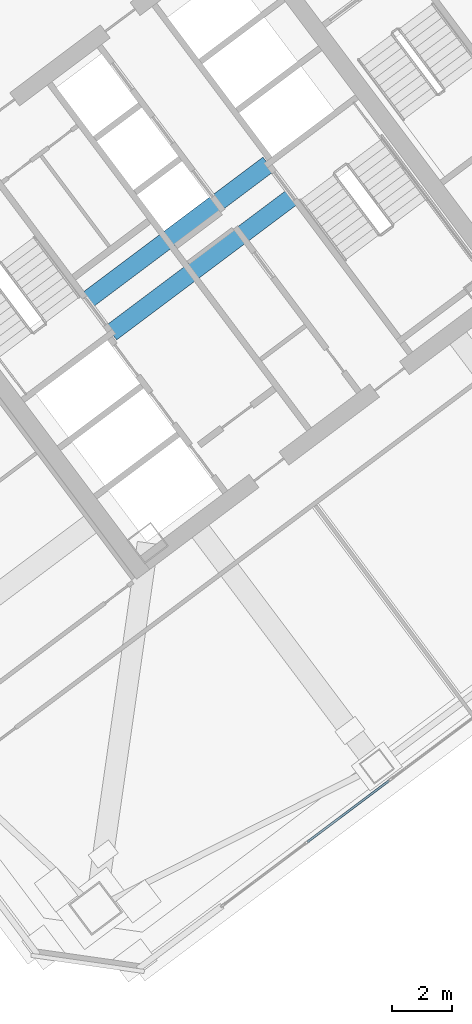
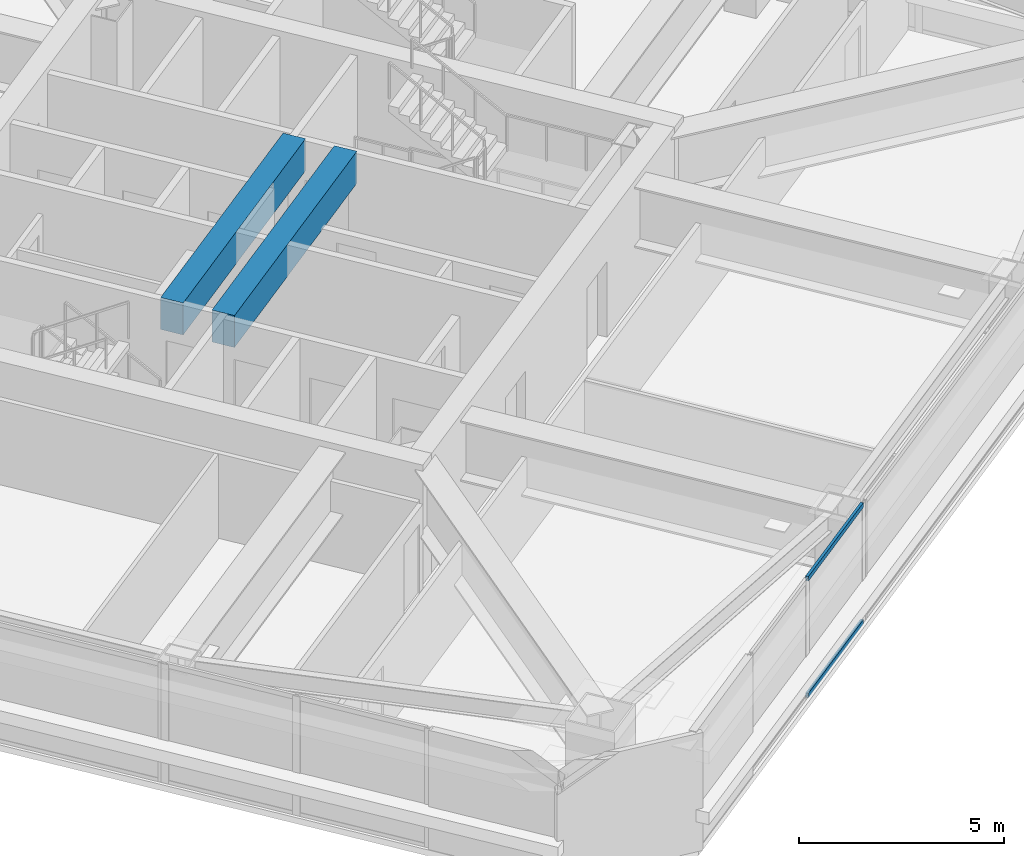
# One storey, part 22 of 42: 2 beams, 2 members, 1 element without a shape of its own.
"""IFC4 building model written with IfcOpenShell, lengths in metres."""

from ifc_helpers import new_model, si_unit, direction, frame, origin, origin_2d, place, context, subcontext, project, spatial, rectangle, hollow_rectangle, extrude, material, material_profile, profile_set, type_object, element, aggregate, save


model = new_model("IFC4")

# Units and contexts
model_context = context("Model", 3, precision=1e-05, world=origin(), true_north=direction((0.0, 1.0)))
body_context = subcontext(model_context, "Body", "Model", "MODEL_VIEW")
ifc_project = project(units=[si_unit("LENGTHUNIT", "METRE"), si_unit("AREAUNIT", "SQUARE_METRE"), si_unit("VOLUMEUNIT", "CUBIC_METRE"), si_unit("PLANEANGLEUNIT", "RADIAN"), si_unit("MASSUNIT", "GRAM", prefix="KILO")], contexts=[model_context])

# Site, building, storey
site_placement = place(None, origin())
site = spatial("IfcSite", under=ifc_project, at=site_placement, CompositionType="ELEMENT")
building_placement = place(site_placement, origin())
building = spatial("IfcBuilding", under=site, at=building_placement, Name="Tashvorn Skyway Center", CompositionType="ELEMENT")
storey_placement = place(building_placement, frame((0.0, 0.0, 153.449951171875)))
storey = spatial("IfcBuildingStorey", under=building, at=storey_placement, Name="L41", CompositionType="ELEMENT", Elevation=153.449951171875)

# Beams
ifc_material_1 = material(Name="Concrete C60/75", Category="concrete")
ifc_material_profile_1 = material_profile(ifc_material_1, rectangle(XDim=0.60009765625, YDim=0.949951171875, at=origin_2d()), Name="RCB600x950")
ifc_profile_set_1 = profile_set([ifc_material_profile_1], Name="Concrete C60/75")
beam_type = type_object("IfcBeamType", Name="BM-LINTEL-RCB600x950", PredefinedType="LINTEL", material=ifc_profile_set_1)
for number, where, z_axis, x_axis, name in (
    (1, (110.552001953125, 30.263916015625, 2.89501953125), (0.8, 0.6, 0.0), (-0.6, 0.8, 0.0), "Tower 2 L41 Core Coupling Beam CN"),
    (2, (111.367919921875, 29.176025390625, 2.89501953125), (0.8, 0.6, 0.0), (-0.6, 0.8, 0.0), "Tower 2 L41 Core Coupling Beam CS"),
):
    element("IfcBeam", number, at=place(storey_placement, frame(where, z_axis=z_axis, x_axis=x_axis)), inside=storey, type_object=beam_type, Name=name, PredefinedType="LINTEL", context=body_context, shape_type="SweptSolid", body=[
        extrude(rectangle(XDim=0.60009765625, YDim=0.949951171875, at=origin_2d()), origin(), (0.0, 0.0, 1.0), 7.60009765625),
    ])

# Curtain wall, members
ifc_material_2 = material(Name="Thermally broken bronze-anodized aluminium 6063-T6", Category="aluminium")
curtain_wall_type = type_object("IfcCurtainWallType", Name="CW-CW-Z3", PredefinedType="NOTDEFINED", material=ifc_material_2)
curtain_wall_placement = place(storey_placement, origin())
curtain_wall = element("IfcCurtainWall", 3, at=curtain_wall_placement, inside=storey, type_object=curtain_wall_type, Name="Tower 2 L41 South Unitised Curtain Wall Glazing Group 3", PredefinedType="NOTDEFINED")
ifc_material_profile_2 = material_profile(ifc_material_2, hollow_rectangle(XDim=0.074951171875, YDim=0.139892578125, WallThickness=0.004150390625, at=origin_2d()), Name="ALU-TRAN-75x140")
ifc_profile_set_2 = profile_set([ifc_material_profile_2], Name="Thermally broken bronze-anodized aluminium 6063-T6")
member_type = type_object("IfcMemberType", Name="CWT-CW-Z3", PredefinedType="USERDEFINED", material=ifc_profile_set_2)
member_1_placement = place(storey_placement, frame((120.67333984375, 14.155029296875, 0.03759765625), z_axis=(-0.800008575267, -0.59998856614, 0.0), x_axis=(0.59998856614, -0.800008575267, 0.0)))
member_1 = element("IfcMember", 4, at=member_1_placement, type_object=member_type, Name="CW-Z3 transom 1.1", ObjectType="TRANSOM", PredefinedType="USERDEFINED", context=body_context, shape_type="SweptSolid", body=[
    extrude(hollow_rectangle(XDim=0.074951171875, YDim=0.139892578125, WallThickness=0.004150390625, at=origin_2d()), origin(), (0.0, 0.0, 1.0), 3.41650390625),
])
member_2_placement = place(storey_placement, frame((120.67333984375, 14.155029296875, 3.512451171875), z_axis=(-0.800008575267, -0.59998856614, 0.0), x_axis=(0.59998856614, -0.800008575267, 0.0)))
member_2 = element("IfcMember", 5, at=member_2_placement, type_object=member_type, Name="CW-Z3 transom 1.2", ObjectType="TRANSOM", PredefinedType="USERDEFINED", context=body_context, shape_type="SweptSolid", body=[
    extrude(hollow_rectangle(XDim=0.074951171875, YDim=0.139892578125, WallThickness=0.004150390625, at=origin_2d()), origin(), (0.0, 0.0, 1.0), 3.41650390625),
])
aggregate(curtain_wall, [member_1, member_2])

save(model, "model.ifc")
